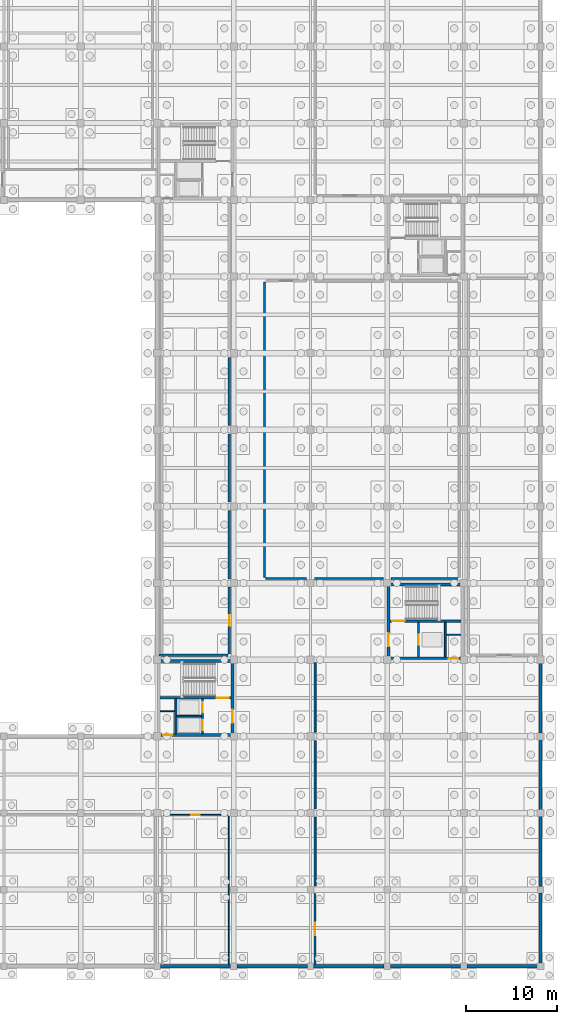
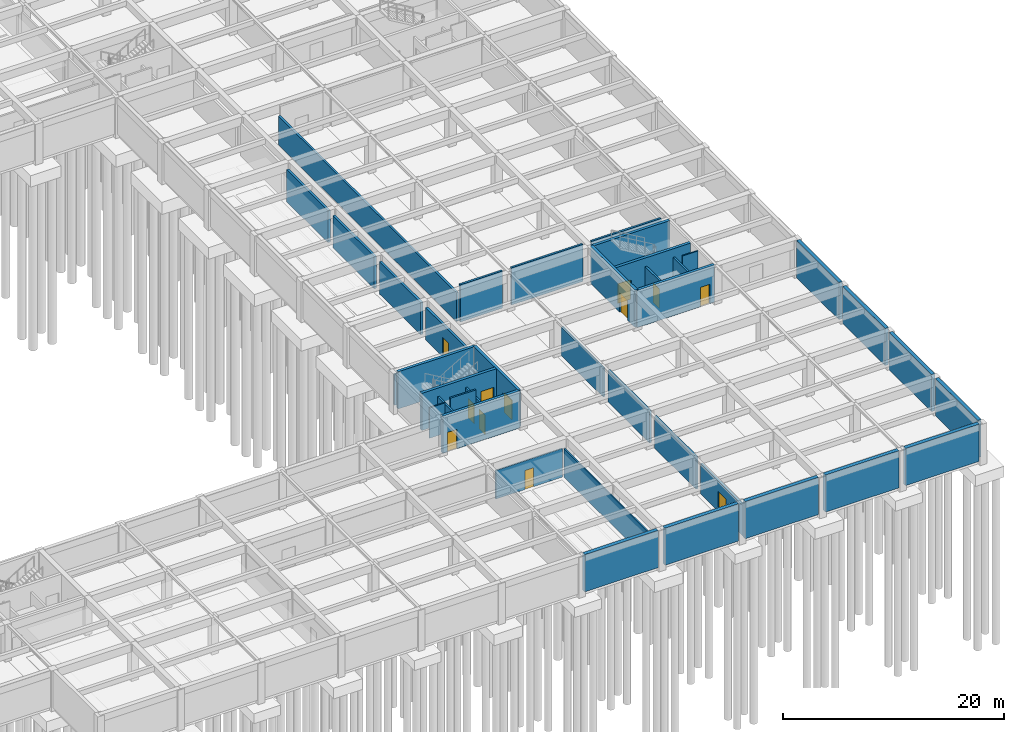
# One storey, part 22 of 33: 39 walls, 12 doors, 12 openings.
"""IFC4 building model written with IfcOpenShell, lengths in metres."""

from ifc_helpers import new_model, si_unit, direction, frame, frame_2d, origin, place, context, subcontext, project, spatial, rectangle, extrude, material, layer, layer_set, type_object, element, fill, save


model = new_model("IFC4")

# Units and contexts
model_context = context("Model", 3, precision=1e-05, world=origin(), true_north=direction((0.0, 1.0)))
body_context = subcontext(model_context, "Body", "Model", "MODEL_VIEW")
ifc_project = project(units=[si_unit("LENGTHUNIT", "METRE"), si_unit("AREAUNIT", "SQUARE_METRE"), si_unit("VOLUMEUNIT", "CUBIC_METRE"), si_unit("PLANEANGLEUNIT", "RADIAN"), si_unit("MASSUNIT", "GRAM", prefix="KILO")], contexts=[model_context])

# Site, building, storey
site_placement = place(None, origin())
site = spatial("IfcSite", under=ifc_project, at=site_placement, CompositionType="ELEMENT")
building_placement = place(site_placement, origin())
building = spatial("IfcBuilding", under=site, at=building_placement, Name="Kveldsbrygga Polytechnic", CompositionType="ELEMENT")
storey_placement = place(building_placement, frame((0.0, 0.0, -4.419921875)))
storey = spatial("IfcBuildingStorey", under=building, at=storey_placement, Name="B1", CompositionType="ELEMENT", Elevation=-4.419921875)

# Wall, opening, door
ifc_material_1 = material(Name="Fired clay brick masonry M10", Category="masonry")
ifc_layer_1 = layer(ifc_material_1, 0.239990234375)
ifc_layer_set_1 = layer_set([ifc_layer_1], Name="Fired clay brick masonry M10")
wall_type_1 = type_object("IfcWallType", Name="IW-COMP-240", PredefinedType="PARTITIONING", material=ifc_layer_set_1)
wall_1_placement = place(storey_placement, frame((133.89990234375, 34.25, 0.0), z_axis=(0.0, 0.0, 1.0), x_axis=(0.0, 1.0, 0.0)))
wall_1 = element("IfcWall", 1, at=wall_1_placement, inside=storey, type_object=wall_type_1, Name="Partition Wall IW-SP-B1-ARCH1-E1", PredefinedType="PARTITIONING", context=body_context, shape_type="SweptSolid", body=[
    extrude(rectangle(XDim=7.300048828125, YDim=0.239990234375, at=frame_2d((3.64990234375, 0.0))), origin(), (0.0, 0.0, 1.0), 3.559814453125),
])
opening_1_placement = place(wall_1_placement, frame((3.10009765625, 0.0, 0.0)))
opening_1 = element("IfcOpeningElement", 2, at=opening_1_placement, cuts=wall_1, Name="Opening ID-B1-009", PredefinedType="OPENING", context=body_context, shape_type="SweptSolid", body=[
    extrude(rectangle(XDim=1.10009765625, YDim=2.14990234375, at=frame_2d((0.550048828125, 1.074951171875))), frame((0.0, 0.1298828125, 0.0), z_axis=(0.0, -1.0, 0.0), x_axis=(1.0, 0.0, 0.0)), (0.0, 0.0, 1.0), 0.260009765625),
])
ifc_material_2 = material(Name="Powder-coated galvanised steel", Category="steel")
door_type_1 = type_object("IfcDoorType", Name="ID-STK-110x215", OperationType="NOTDEFINED", PredefinedType="DOOR", material=ifc_material_2)
door_1_placement = place(opening_1_placement, origin())
door_1 = element("IfcDoor", 3, at=door_1_placement, inside=storey, type_object=door_type_1, Name="Interior Door ID-B1-009", OperationType="SINGLE_SWING_LEFT", OverallHeight=2.14990234375, OverallWidth=1.10009765625, PredefinedType="DOOR", context=body_context, shape_type="SweptSolid", body=[
    extrude(rectangle(XDim=1.10009765625, YDim=2.14990234375, at=frame_2d((0.550048828125, 1.074951171875))), frame((0.0, 0.02490234375, 0.0), z_axis=(0.0, -1.0, 0.0), x_axis=(1.0, 0.0, 0.0)), (0.0, 0.0, 1.0), 0.050048828125),
])
fill(opening_1, door_1)

# Walls
wall_2_placement = place(storey_placement, frame((133.89990234375, 42.449951171875, 0.0), z_axis=(0.0, 0.0, 1.0), x_axis=(0.0, 1.0, 0.0)))
element("IfcWall", 4, at=wall_2_placement, inside=storey, type_object=wall_type_1, Name="Partition Wall IW-SP-B1-ARCH1-E2", PredefinedType="PARTITIONING", context=body_context, shape_type="SweptSolid", body=[
    extrude(rectangle(XDim=7.489990234375, YDim=0.239990234375, at=frame_2d((3.7451171875, 0.0))), origin(), (0.0, 0.0, 1.0), 3.56982421875),
])
wall_3_placement = place(storey_placement, frame((133.89990234375, 50.860107421875, 0.0), z_axis=(0.0, 0.0, 1.0), x_axis=(0.0, 1.0, 0.0)))
element("IfcWall", 5, at=wall_3_placement, inside=storey, type_object=wall_type_1, Name="Partition Wall IW-SP-B1-ARCH1-E3", PredefinedType="PARTITIONING", context=body_context, shape_type="SweptSolid", body=[
    extrude(rectangle(XDim=7.489990234375, YDim=0.239990234375, at=frame_2d((3.7451171875, 0.0))), origin(), (0.0, 0.0, 1.0), 3.559814453125),
])
wall_4_placement = place(storey_placement, frame((133.89990234375, 59.25, 0.0), z_axis=(0.0, 0.0, 1.0), x_axis=(0.0, 1.0, 0.0)))
element("IfcWall", 6, at=wall_4_placement, inside=storey, type_object=wall_type_1, Name="Partition Wall IW-SP-B1-ARCH1-E4", PredefinedType="PARTITIONING", context=body_context, shape_type="SweptSolid", body=[
    extrude(rectangle(XDim=7.489990234375, YDim=0.239990234375, at=frame_2d((3.7451171875, 0.0))), origin(), (0.0, 0.0, 1.0), 3.56982421875),
])
wall_5_placement = place(storey_placement, frame((126.179931640625, 34.10009765625, 0.0), z_axis=(0.0, 0.0, 1.0), x_axis=(1.0, 0.0, 0.0)))
element("IfcWall", 7, at=wall_5_placement, inside=storey, type_object=wall_type_1, Name="Partition Wall IW-SP-B1-ARCH1-S1", PredefinedType="PARTITIONING", context=body_context, shape_type="SweptSolid", body=[
    extrude(rectangle(XDim=7.570068359375, YDim=0.239990234375, at=frame_2d((3.78515625, 0.0))), origin(), (0.0, 0.0, 1.0), 3.349853515625),
])

# Wall, opening, door
ifc_material_3 = material(Name="Concrete blockwork masonry", Category="masonry")
ifc_layer_2 = layer(ifc_material_3, 0.2099609375)
ifc_layer_set_2 = layer_set([ifc_layer_2], Name="Concrete blockwork masonry")
wall_type_2 = type_object("IfcWallType", Name="IW-PLT-210", PredefinedType="PARTITIONING", material=ifc_layer_set_2)
wall_6_placement = place(storey_placement, frame((143.300048828125, 0.179931640625, 0.0), z_axis=(0.0, 0.0, 1.0), x_axis=(0.0, 1.0, 0.0)))
wall_6 = element("IfcWall", 8, at=wall_6_placement, inside=storey, type_object=wall_type_2, Name="Partition Wall IW-SP-B1-ELEC-W1", PredefinedType="PARTITIONING", context=body_context, shape_type="SweptSolid", body=[
    extrude(rectangle(XDim=7.800048828125, YDim=0.2099609375, at=frame_2d((3.89990234375, 0.0))), origin(), (0.0, 0.0, 1.0), 3.3798828125),
])
opening_2_placement = place(wall_6_placement, frame((3.199951171875, 0.0, 0.0)))
opening_2 = element("IfcOpeningElement", 9, at=opening_2_placement, cuts=wall_6, Name="Opening ID-B1-010", PredefinedType="OPENING", context=body_context, shape_type="SweptSolid", body=[
    extrude(rectangle(XDim=1.39990234375, YDim=2.199951171875, at=frame_2d((0.699951171875, 1.10009765625))), frame((0.0, 0.114990234375, 0.0), z_axis=(0.0, -1.0, 0.0), x_axis=(1.0, 0.0, 0.0)), (0.0, 0.0, 1.0), 0.22998046875),
])
door_type_2 = type_object("IfcDoorType", Name="ID-PLT-140x220", OperationType="DOUBLE_DOOR_SINGLE_SWING", PredefinedType="DOOR", material=ifc_material_2)
door_2_placement = place(opening_2_placement, origin())
door_2 = element("IfcDoor", 10, at=door_2_placement, inside=storey, type_object=door_type_2, Name="Interior Door ID-B1-010", OperationType="DOUBLE_DOOR_SINGLE_SWING", OverallHeight=2.199951171875, OverallWidth=1.39990234375, PredefinedType="DOOR", context=body_context, shape_type="SweptSolid", body=[
    extrude(rectangle(XDim=1.39990234375, YDim=2.199951171875, at=frame_2d((0.699951171875, 1.10009765625))), frame((0.0, 0.02490234375, 0.0), z_axis=(0.0, -1.0, 0.0), x_axis=(1.0, 0.0, 0.0)), (0.0, 0.0, 1.0), 0.050048828125),
])
fill(opening_2, door_2)

# Walls
wall_7_placement = place(storey_placement, frame((143.300048828125, 8.820068359375, 0.0), z_axis=(0.0, 0.0, 1.0), x_axis=(0.0, 1.0, 0.0)))
element("IfcWall", 11, at=wall_7_placement, inside=storey, type_object=wall_type_2, Name="Partition Wall IW-SP-B1-ELEC-W2", PredefinedType="PARTITIONING", context=body_context, shape_type="SweptSolid", body=[
    extrude(rectangle(XDim=7.530029296875, YDim=0.2099609375, at=frame_2d((3.76513671875, 0.0))), origin(), (0.0, 0.0, 1.0), 3.56982421875),
])
wall_8_placement = place(storey_placement, frame((143.300048828125, 17.25, 0.0), z_axis=(0.0, 0.0, 1.0), x_axis=(0.0, 1.0, 0.0)))
element("IfcWall", 12, at=wall_8_placement, inside=storey, type_object=wall_type_2, Name="Partition Wall IW-SP-B1-ELEC-W3", PredefinedType="PARTITIONING", context=body_context, shape_type="SweptSolid", body=[
    extrude(rectangle(XDim=7.489990234375, YDim=0.2099609375, at=frame_2d((3.7451171875, 0.0))), origin(), (0.0, 0.0, 1.0), 3.559814453125),
])
wall_9_placement = place(storey_placement, frame((143.300048828125, 25.659912109375, 0.0), z_axis=(0.0, 0.0, 1.0), x_axis=(0.0, 1.0, 0.0)))
element("IfcWall", 13, at=wall_9_placement, inside=storey, type_object=wall_type_2, Name="Partition Wall IW-SP-B1-ELEC-W4", PredefinedType="PARTITIONING", context=body_context, shape_type="SweptSolid", body=[
    extrude(rectangle(XDim=7.590087890625, YDim=0.2099609375, at=frame_2d((3.794921875, 0.0))), origin(), (0.0, 0.0, 1.0), 3.169921875),
])
wall_10_placement = place(storey_placement, frame((137.75, 42.64990234375, 0.0), z_axis=(0.0, 0.0, 1.0), x_axis=(0.0, 1.0, 0.0)))
element("IfcWall", 14, at=wall_10_placement, inside=storey, type_object=wall_type_2, Name="Partition Wall IW-SP-B1-ELEC2-W1", PredefinedType="PARTITIONING", context=body_context, shape_type="SweptSolid", body=[
    extrude(rectangle(XDim=32.300048828125, YDim=0.2099609375, at=frame_2d((16.14990234375, 0.0))), origin(), (0.0, 0.0, 1.0), 3.169921875),
])
wall_11_placement = place(storey_placement, frame((137.89990234375, 42.5, 0.0), z_axis=(0.0, 0.0, 1.0), x_axis=(1.0, 0.0, 0.0)))
element("IfcWall", 15, at=wall_11_placement, inside=storey, type_object=wall_type_2, Name="Partition Wall IW-SP-B1-ELEC2-S1", PredefinedType="PARTITIONING", context=body_context, shape_type="SweptSolid", body=[
    extrude(rectangle(XDim=4.440185546875, YDim=0.2099609375, at=frame_2d((2.22021484375, 0.0))), origin(), (0.0, 0.0, 1.0), 4.119873046875),
])
wall_12_placement = place(storey_placement, frame((143.260009765625, 42.5, 0.0), z_axis=(0.0, 0.0, 1.0), x_axis=(1.0, 0.0, 0.0)))
element("IfcWall", 16, at=wall_12_placement, inside=storey, type_object=wall_type_2, Name="Partition Wall IW-SP-B1-ELEC2-S2", PredefinedType="PARTITIONING", context=body_context, shape_type="SweptSolid", body=[
    extrude(rectangle(XDim=7.489990234375, YDim=0.2099609375, at=frame_2d((3.7451171875, 0.0))), origin(), (0.0, 0.0, 1.0), 4.119873046875),
])
wall_13_placement = place(storey_placement, frame((151.64990234375, 42.5, 0.0), z_axis=(0.0, 0.0, 1.0), x_axis=(1.0, 0.0, 0.0)))
element("IfcWall", 17, at=wall_13_placement, inside=storey, type_object=wall_type_2, Name="Partition Wall IW-SP-B1-ELEC2-S3", PredefinedType="PARTITIONING", context=body_context, shape_type="SweptSolid", body=[
    extrude(rectangle(XDim=7.300048828125, YDim=0.2099609375, at=frame_2d((3.64990234375, 0.0))), origin(), (0.0, 0.0, 1.0), 4.119873046875),
])
ifc_material_4 = material(Name="Moisture-resistant masonry M10", Category="masonry")
ifc_layer_3 = layer(ifc_material_4, 0.1298828125)
ifc_layer_set_3 = layer_set([ifc_layer_3], Name="Moisture-resistant masonry M10")
wall_type_3 = type_object("IfcWallType", Name="IW-SAN-130", PredefinedType="PARTITIONING", material=ifc_layer_set_3)
wall_14_placement = place(storey_placement, frame((126.320068359375, 27.93994140625, 0.0), z_axis=(0.0, 0.0, 1.0), x_axis=(1.0, 0.0, 0.0)))
element("IfcWall", 18, at=wall_14_placement, inside=storey, type_object=wall_type_3, Name="Core AWC Divider C1-B1-W-RSR", PredefinedType="PARTITIONING", context=body_context, shape_type="SweptSolid", body=[
    extrude(rectangle(XDim=1.619873046875, YDim=0.1298828125, at=frame_2d((0.81005859375, 0.0))), origin(), (0.0, 0.0, 1.0), 3.349853515625),
])
wall_15_placement = place(storey_placement, frame((157.659912109375, 36.340087890625, 0.0), z_axis=(0.0, 0.0, 1.0), x_axis=(1.0, 0.0, 0.0)))
element("IfcWall", 19, at=wall_15_placement, inside=storey, type_object=wall_type_3, Name="Core AWC Divider C3-B1-W-RSR", PredefinedType="PARTITIONING", context=body_context, shape_type="SweptSolid", body=[
    extrude(rectangle(XDim=1.6201171875, YDim=0.1298828125, at=frame_2d((0.81005859375, 0.0))), origin(), (0.0, 0.0, 1.0), 4.119873046875),
])

# Wall, opening, door
wall_16_placement = place(storey_placement, frame((126.699951171875, 16.60009765625, 0.0), z_axis=(0.0, 0.0, 1.0), x_axis=(1.0, 0.0, 0.0)))
wall_16 = element("IfcWall", 20, at=wall_16_placement, inside=storey, type_object=wall_type_3, Name="Partition Wall IW-SP-B1-WC1-N1", PredefinedType="PARTITIONING", context=body_context, shape_type="SweptSolid", body=[
    extrude(rectangle(XDim=7.0, YDim=0.1298828125, at=frame_2d((3.5, 0.0))), origin(), (0.0, 0.0, 1.0), 3.169921875),
])
opening_3_placement = place(wall_16_placement, frame((3.050048828125, 0.0, 0.0)))
opening_3 = element("IfcOpeningElement", 21, at=opening_3_placement, cuts=wall_16, Name="Opening ID-B1-015", PredefinedType="OPENING", context=body_context, shape_type="SweptSolid", body=[
    extrude(rectangle(XDim=0.89990234375, YDim=2.10009765625, at=frame_2d((0.449951171875, 1.050048828125))), frame((0.0, 0.074951171875, 0.0), z_axis=(0.0, -1.0, 0.0), x_axis=(1.0, 0.0, 0.0)), (0.0, 0.0, 1.0), 0.14990234375),
])
ifc_material_5 = material(Name="Acoustic oak timber", Category="wood")
door_type_3 = type_object("IfcDoorType", Name="ID-SAN-090x210", OperationType="NOTDEFINED", PredefinedType="DOOR", material=ifc_material_5)
door_3_placement = place(opening_3_placement, origin())
door_3 = element("IfcDoor", 22, at=door_3_placement, inside=storey, type_object=door_type_3, Name="Interior Door ID-B1-015", OperationType="SINGLE_SWING_LEFT", OverallHeight=2.10009765625, OverallWidth=0.89990234375, PredefinedType="DOOR", context=body_context, shape_type="SweptSolid", body=[
    extrude(rectangle(XDim=0.89990234375, YDim=2.10009765625, at=frame_2d((0.449951171875, 1.050048828125))), frame((0.0, 0.02490234375, 0.0), z_axis=(0.0, -1.0, 0.0), x_axis=(1.0, 0.0, 0.0)), (0.0, 0.0, 1.0), 0.050048828125),
])
fill(opening_3, door_3)

# Wall
wall_17_placement = place(storey_placement, frame((133.85009765625, 0.179931640625, 0.0), z_axis=(0.0, 0.0, 1.0), x_axis=(0.0, 1.0, 0.0)))
element("IfcWall", 23, at=wall_17_placement, inside=storey, type_object=wall_type_3, Name="Partition Wall IW-SP-B1-WC1-E1", PredefinedType="PARTITIONING", context=body_context, shape_type="SweptSolid", body=[
    extrude(rectangle(XDim=16.27001953125, YDim=0.1298828125, at=frame_2d((8.135009765625, 0.0))), origin(), (0.0, 0.0, 1.0), 3.169921875),
])

# Wall, opening, door
ifc_material_6 = material(Name="Concrete C45/55", Category="concrete")
ifc_layer_4 = layer(ifc_material_6, 0.300048828125)
ifc_layer_set_4 = layer_set([ifc_layer_4], Name="Concrete C45/55")
wall_type_4 = type_object("IfcWallType", Name="WL-CORE-300", PredefinedType="SHEAR", material=ifc_layer_set_4)
wall_18_placement = place(storey_placement, frame((126.14990234375, 25.35009765625, 0.0), z_axis=(0.0, 0.0, 1.0), x_axis=(1.0, 0.0, 0.0)))
wall_18 = element("IfcWall", 24, at=wall_18_placement, inside=storey, type_object=wall_type_4, Name="Core C1 Shear Wall C1-B1-SW-S", PredefinedType="SHEAR", context=body_context, shape_type="SweptSolid", body=[
    extrude(rectangle(XDim=8.10009765625, YDim=0.300048828125, at=frame_2d((4.050048828125, 0.0))), origin(), (0.0, 0.0, 1.0), 4.119873046875),
])
opening_4_placement = place(wall_18_placement, frame((0.485107421875, 0.0, 0.0)))
opening_4 = element("IfcOpeningElement", 25, at=opening_4_placement, cuts=wall_18, Name="Opening ID-C1-B1-AWC", PredefinedType="OPENING", context=body_context, shape_type="SweptSolid", body=[
    extrude(rectangle(XDim=1.0, YDim=2.14990234375, at=frame_2d((0.5, 1.074951171875))), frame((0.0, 0.16015625, 0.0), z_axis=(0.0, -1.0, 0.0), x_axis=(1.0, 0.0, 0.0)), (0.0, 0.0, 1.0), 0.320068359375),
])
door_type_4 = type_object("IfcDoorType", Name="ID-AWC-100x215", OperationType="NOTDEFINED", PredefinedType="DOOR", material=ifc_material_5)
door_4_placement = place(opening_4_placement, origin())
door_4 = element("IfcDoor", 26, at=door_4_placement, inside=storey, type_object=door_type_4, Name="Accessible WC Door ID-C1-B1-AWC", OperationType="SINGLE_SWING_RIGHT", OverallHeight=2.14990234375, OverallWidth=1.0, PredefinedType="DOOR", context=body_context, shape_type="SweptSolid", body=[
    extrude(rectangle(XDim=1.0, YDim=2.14990234375, at=frame_2d((0.5, 1.074951171875))), frame((0.0, 0.02490234375, 0.0), z_axis=(0.0, -1.0, 0.0), x_axis=(1.0, 0.0, 0.0)), (0.0, 0.0, 1.0), 0.050048828125),
])
fill(opening_4, door_4)

# Wall
wall_19_placement = place(storey_placement, frame((126.14990234375, 33.449951171875, 0.0), z_axis=(0.0, 0.0, 1.0), x_axis=(1.0, 0.0, 0.0)))
element("IfcWall", 27, at=wall_19_placement, inside=storey, type_object=wall_type_4, Name="Core C1 Shear Wall C1-B1-SW-N", PredefinedType="SHEAR", context=body_context, shape_type="SweptSolid", body=[
    extrude(rectangle(XDim=8.10009765625, YDim=0.300048828125, at=frame_2d((4.050048828125, 0.0))), origin(), (0.0, 0.0, 1.0), 4.119873046875),
])

# Wall, opening, door
wall_20_placement = place(storey_placement, frame((134.25, 25.35009765625, 0.0), z_axis=(0.0, 0.0, 1.0), x_axis=(0.0, 1.0, 0.0)))
wall_20 = element("IfcWall", 28, at=wall_20_placement, inside=storey, type_object=wall_type_4, Name="Core C1 Shear Wall C1-B1-SW-E", PredefinedType="SHEAR", context=body_context, shape_type="SweptSolid", body=[
    extrude(rectangle(XDim=8.099853515625, YDim=0.300048828125, at=frame_2d((4.0498046875, 0.0))), origin(), (0.0, 0.0, 1.0), 4.119873046875),
])
opening_5_placement = place(wall_20_placement, frame((1.324951171875, 0.0, 0.0)))
opening_5 = element("IfcOpeningElement", 29, at=opening_5_placement, cuts=wall_20, Name="Opening FD-C1-B1-LOB", PredefinedType="OPENING", context=body_context, shape_type="SweptSolid", body=[
    extrude(rectangle(XDim=1.449951171875, YDim=2.14990234375, at=frame_2d((0.72509765625, 1.074951171875))), frame((0.0, 0.16015625, 0.0), z_axis=(0.0, -1.0, 0.0), x_axis=(1.0, 0.0, 0.0)), (0.0, 0.0, 1.0), 0.320068359375),
])
door_type_5 = type_object("IfcDoorType", Name="ID-LOBBY-145x215", OperationType="DOUBLE_DOOR_SINGLE_SWING", PredefinedType="DOOR", material=ifc_material_2)
door_5_placement = place(opening_5_placement, origin())
door_5 = element("IfcDoor", 30, at=door_5_placement, inside=storey, type_object=door_type_5, Name="Core Lobby Fire Door FD-C1-B1-LOB", OperationType="DOUBLE_DOOR_SINGLE_SWING", OverallHeight=2.14990234375, OverallWidth=1.449951171875, PredefinedType="DOOR", context=body_context, shape_type="SweptSolid", body=[
    extrude(rectangle(XDim=1.449951171875, YDim=2.14990234375, at=frame_2d((0.72509765625, 1.074951171875))), frame((0.0, 0.02490234375, 0.0), z_axis=(0.0, -1.0, 0.0), x_axis=(1.0, 0.0, 0.0)), (0.0, 0.0, 1.0), 0.050048828125),
])
fill(opening_5, door_5)

wall_21_placement = place(storey_placement, frame((126.300048828125, 29.429931640625, 0.0), z_axis=(0.0, 0.0, 1.0), x_axis=(1.0, 0.0, 0.0)))
wall_21 = element("IfcWall", 31, at=wall_21_placement, inside=storey, type_object=wall_type_4, Name="Core C1 Shear Wall C1-B1-W-DIV", PredefinedType="SHEAR", context=body_context, shape_type="SweptSolid", body=[
    extrude(rectangle(XDim=7.800048828125, YDim=0.300048828125, at=frame_2d((3.89990234375, 0.0))), origin(), (0.0, 0.0, 1.0), 4.119873046875),
])
opening_6_placement = place(wall_21_placement, frame((6.199951171875, 0.0, 0.0)))
opening_6 = element("IfcOpeningElement", 32, at=opening_6_placement, cuts=wall_21, Name="Opening FD-C1-B1-ST", PredefinedType="OPENING", context=body_context, shape_type="SweptSolid", body=[
    extrude(rectangle(XDim=1.35009765625, YDim=2.14990234375, at=frame_2d((0.675048828125, 1.074951171875))), frame((0.0, 0.16015625, 0.0), z_axis=(0.0, -1.0, 0.0), x_axis=(1.0, 0.0, 0.0)), (0.0, 0.0, 1.0), 0.320068359375),
])
door_type_6 = type_object("IfcDoorType", Name="ID-STAIR-135x215", OperationType="NOTDEFINED", PredefinedType="DOOR", material=ifc_material_2)
door_6_placement = place(opening_6_placement, origin())
door_6 = element("IfcDoor", 33, at=door_6_placement, inside=storey, type_object=door_type_6, Name="Stair Fire Door FD-C1-B1-ST", OperationType="SINGLE_SWING_LEFT", OverallHeight=2.14990234375, OverallWidth=1.35009765625, PredefinedType="DOOR", context=body_context, shape_type="SweptSolid", body=[
    extrude(rectangle(XDim=1.35009765625, YDim=2.14990234375, at=frame_2d((0.675048828125, 1.074951171875))), frame((0.0, 0.02490234375, 0.0), z_axis=(0.0, -1.0, 0.0), x_axis=(1.0, 0.0, 0.0)), (0.0, 0.0, 1.0), 0.050048828125),
])
fill(opening_6, door_6)

wall_22_placement = place(storey_placement, frame((151.35009765625, 33.75, 0.0), z_axis=(0.0, 0.0, 1.0), x_axis=(1.0, 0.0, 0.0)))
wall_22 = element("IfcWall", 34, at=wall_22_placement, inside=storey, type_object=wall_type_4, Name="Core C3 Shear Wall C3-B1-SW-S", PredefinedType="SHEAR", context=body_context, shape_type="SweptSolid", body=[
    extrude(rectangle(XDim=8.099853515625, YDim=0.300048828125, at=frame_2d((4.0498046875, 0.0))), origin(), (0.0, 0.0, 1.0), 4.119873046875),
])
opening_7_placement = place(wall_22_placement, frame((6.614990234375, 0.0, 0.0)))
opening_7 = element("IfcOpeningElement", 35, at=opening_7_placement, cuts=wall_22, Name="Opening ID-C3-B1-AWC", PredefinedType="OPENING", context=body_context, shape_type="SweptSolid", body=[
    extrude(rectangle(XDim=1.0, YDim=2.14990234375, at=frame_2d((0.5, 1.074951171875))), frame((0.0, 0.16015625, 0.0), z_axis=(0.0, -1.0, 0.0), x_axis=(1.0, 0.0, 0.0)), (0.0, 0.0, 1.0), 0.320068359375),
])
door_7_placement = place(opening_7_placement, origin())
door_7 = element("IfcDoor", 36, at=door_7_placement, inside=storey, type_object=door_type_4, Name="Accessible WC Door ID-C3-B1-AWC", OperationType="SINGLE_SWING_RIGHT", OverallHeight=2.14990234375, OverallWidth=1.0, PredefinedType="DOOR", context=body_context, shape_type="SweptSolid", body=[
    extrude(rectangle(XDim=1.0, YDim=2.14990234375, at=frame_2d((0.5, 1.074951171875))), frame((0.0, 0.02490234375, 0.0), z_axis=(0.0, -1.0, 0.0), x_axis=(1.0, 0.0, 0.0)), (0.0, 0.0, 1.0), 0.050048828125),
])
fill(opening_7, door_7)

# Wall
wall_23_placement = place(storey_placement, frame((151.35009765625, 41.85009765625, 0.0), z_axis=(0.0, 0.0, 1.0), x_axis=(1.0, 0.0, 0.0)))
element("IfcWall", 37, at=wall_23_placement, inside=storey, type_object=wall_type_4, Name="Core C3 Shear Wall C3-B1-SW-N", PredefinedType="SHEAR", context=body_context, shape_type="SweptSolid", body=[
    extrude(rectangle(XDim=8.099853515625, YDim=0.300048828125, at=frame_2d((4.0498046875, 0.0))), origin(), (0.0, 0.0, 1.0), 4.119873046875),
])

# Wall, opening, door
wall_24_placement = place(storey_placement, frame((151.35009765625, 33.75, 0.0), z_axis=(0.0, 0.0, 1.0), x_axis=(0.0, 1.0, 0.0)))
wall_24 = element("IfcWall", 38, at=wall_24_placement, inside=storey, type_object=wall_type_4, Name="Core C3 Shear Wall C3-B1-SW-W", PredefinedType="SHEAR", context=body_context, shape_type="SweptSolid", body=[
    extrude(rectangle(XDim=8.10009765625, YDim=0.300048828125, at=frame_2d((4.050048828125, 0.0))), origin(), (0.0, 0.0, 1.0), 4.119873046875),
])
opening_8_placement = place(wall_24_placement, frame((1.324951171875, 0.0, 0.0)))
opening_8 = element("IfcOpeningElement", 39, at=opening_8_placement, cuts=wall_24, Name="Opening FD-C3-B1-LOB", PredefinedType="OPENING", context=body_context, shape_type="SweptSolid", body=[
    extrude(rectangle(XDim=1.449951171875, YDim=2.14990234375, at=frame_2d((0.72509765625, 1.074951171875))), frame((0.0, 0.16015625, 0.0), z_axis=(0.0, -1.0, 0.0), x_axis=(1.0, 0.0, 0.0)), (0.0, 0.0, 1.0), 0.320068359375),
])
door_8_placement = place(opening_8_placement, origin())
door_8 = element("IfcDoor", 40, at=door_8_placement, inside=storey, type_object=door_type_5, Name="Core Lobby Fire Door FD-C3-B1-LOB", OperationType="DOUBLE_DOOR_SINGLE_SWING", OverallHeight=2.14990234375, OverallWidth=1.449951171875, PredefinedType="DOOR", context=body_context, shape_type="SweptSolid", body=[
    extrude(rectangle(XDim=1.449951171875, YDim=2.14990234375, at=frame_2d((0.72509765625, 1.074951171875))), frame((0.0, 0.02490234375, 0.0), z_axis=(0.0, -1.0, 0.0), x_axis=(1.0, 0.0, 0.0)), (0.0, 0.0, 1.0), 0.050048828125),
])
fill(opening_8, door_8)

wall_25_placement = place(storey_placement, frame((151.5, 37.830078125, 0.0), z_axis=(0.0, 0.0, 1.0), x_axis=(1.0, 0.0, 0.0)))
wall_25 = element("IfcWall", 41, at=wall_25_placement, inside=storey, type_object=wall_type_4, Name="Core C3 Shear Wall C3-B1-W-DIV", PredefinedType="SHEAR", context=body_context, shape_type="SweptSolid", body=[
    extrude(rectangle(XDim=7.800048828125, YDim=0.300048828125, at=frame_2d((3.89990234375, 0.0))), origin(), (0.0, 0.0, 1.0), 4.119873046875),
])
opening_9_placement = place(wall_25_placement, frame((0.25, 0.0, 0.0)))
opening_9 = element("IfcOpeningElement", 42, at=opening_9_placement, cuts=wall_25, Name="Opening FD-C3-B1-ST", PredefinedType="OPENING", context=body_context, shape_type="SweptSolid", body=[
    extrude(rectangle(XDim=1.35009765625, YDim=2.14990234375, at=frame_2d((0.675048828125, 1.074951171875))), frame((0.0, 0.16015625, 0.0), z_axis=(0.0, -1.0, 0.0), x_axis=(1.0, 0.0, 0.0)), (0.0, 0.0, 1.0), 0.320068359375),
])
door_9_placement = place(opening_9_placement, origin())
door_9 = element("IfcDoor", 43, at=door_9_placement, inside=storey, type_object=door_type_6, Name="Stair Fire Door FD-C3-B1-ST", OperationType="SINGLE_SWING_LEFT", OverallHeight=2.14990234375, OverallWidth=1.35009765625, PredefinedType="DOOR", context=body_context, shape_type="SweptSolid", body=[
    extrude(rectangle(XDim=1.35009765625, YDim=2.14990234375, at=frame_2d((0.675048828125, 1.074951171875))), frame((0.0, 0.02490234375, 0.0), z_axis=(0.0, -1.0, 0.0), x_axis=(1.0, 0.0, 0.0)), (0.0, 0.0, 1.0), 0.050048828125),
])
fill(opening_9, door_9)

# Walls
ifc_material_7 = material(Name="Concrete C35/45", Category="concrete")
ifc_layer_5 = layer(ifc_material_7, 0.360107421875)
ifc_layer_set_5 = layer_set([ifc_layer_5], Name="Concrete C35/45")
wall_type_5 = type_object("IfcWallType", Name="WL-RET-360", PredefinedType="USERDEFINED", material=ifc_layer_set_5)
for number, where, z_axis, x_axis, name in (
    (44, (168.0, 0.35009765625, 0.0), (0.0, 0.0, 1.0), (0.0, 1.0, 0.0), "Basement Retaining Wall RW-E-19-00"),
    (45, (168.0, 8.75, 0.0), (0.0, 0.0, 1.0), (0.0, 1.0, 0.0), "Basement Retaining Wall RW-E-19-01"),
):
    element("IfcWall", number, at=place(storey_placement, frame(where, z_axis=z_axis, x_axis=x_axis)), inside=storey, type_object=wall_type_5, Name=name, ObjectType="RETAININGWALL", PredefinedType="USERDEFINED", context=body_context, shape_type="SweptSolid", body=[
        extrude(rectangle(XDim=7.699951171875, YDim=0.360107421875, at=frame_2d((3.85009765625, 0.0))), origin(), (0.0, 0.0, 1.0), 4.119873046875),
    ])
wall_26_placement = place(storey_placement, frame((168.0, 17.14990234375, 0.0), z_axis=(0.0, 0.0, 1.0), x_axis=(0.0, 1.0, 0.0)))
element("IfcWall", 46, at=wall_26_placement, inside=storey, type_object=wall_type_5, Name="Basement Retaining Wall RW-E-19-02", ObjectType="RETAININGWALL", PredefinedType="USERDEFINED", context=body_context, shape_type="SweptSolid", body=[
    extrude(rectangle(XDim=7.7001953125, YDim=0.360107421875, at=frame_2d((3.85009765625, 0.0))), origin(), (0.0, 0.0, 1.0), 4.119873046875),
])
wall_27_placement = place(storey_placement, frame((168.0, 25.550048828125, 0.0), z_axis=(0.0, 0.0, 1.0), x_axis=(0.0, 1.0, 0.0)))
element("IfcWall", 47, at=wall_27_placement, inside=storey, type_object=wall_type_5, Name="Basement Retaining Wall RW-E-19-03", ObjectType="RETAININGWALL", PredefinedType="USERDEFINED", context=body_context, shape_type="SweptSolid", body=[
    extrude(rectangle(XDim=7.699951171875, YDim=0.360107421875, at=frame_2d((3.85009765625, 0.0))), origin(), (0.0, 0.0, 1.0), 4.119873046875),
])
ifc_layer_6 = layer(ifc_material_7, 0.39990234375)
ifc_layer_set_6 = layer_set([ifc_layer_6], Name="Concrete C35/45")
wall_type_6 = type_object("IfcWallType", Name="WL-RET-400", PredefinedType="USERDEFINED", material=ifc_layer_set_6)
for number, where, z_axis, x_axis, name in (
    (48, (126.35009765625, 0.0, 0.0), (0.0, 0.0, 1.0), (1.0, 0.0, 0.0), "Basement Retaining Wall RW-S-15-00"),
    (49, (134.75, 0.0, 0.0), (0.0, 0.0, 1.0), (1.0, 0.0, 0.0), "Basement Retaining Wall RW-S-16-00"),
):
    element("IfcWall", number, at=place(storey_placement, frame(where, z_axis=z_axis, x_axis=x_axis)), inside=storey, type_object=wall_type_6, Name=name, ObjectType="RETAININGWALL", PredefinedType="USERDEFINED", context=body_context, shape_type="SweptSolid", body=[
        extrude(rectangle(XDim=7.699951171875, YDim=0.39990234375, at=frame_2d((3.85009765625, 0.0))), origin(), (0.0, 0.0, 1.0), 4.119873046875),
    ])
wall_28_placement = place(storey_placement, frame((143.14990234375, 0.0, 0.0), z_axis=(0.0, 0.0, 1.0), x_axis=(1.0, 0.0, 0.0)))
element("IfcWall", 50, at=wall_28_placement, inside=storey, type_object=wall_type_6, Name="Basement Retaining Wall RW-S-17-00", ObjectType="RETAININGWALL", PredefinedType="USERDEFINED", context=body_context, shape_type="SweptSolid", body=[
    extrude(rectangle(XDim=7.7001953125, YDim=0.39990234375, at=frame_2d((3.85009765625, 0.0))), origin(), (0.0, 0.0, 1.0), 4.119873046875),
])
for number, where, z_axis, x_axis, name in (
    (51, (151.550048828125, 0.0, 0.0), (0.0, 0.0, 1.0), (1.0, 0.0, 0.0), "Basement Retaining Wall RW-S-18-00"),
    (52, (159.949951171875, 0.0, 0.0), (0.0, 0.0, 1.0), (1.0, 0.0, 0.0), "Basement Retaining Wall RW-S-19-00"),
):
    element("IfcWall", number, at=place(storey_placement, frame(where, z_axis=z_axis, x_axis=x_axis)), inside=storey, type_object=wall_type_6, Name=name, ObjectType="RETAININGWALL", PredefinedType="USERDEFINED", context=body_context, shape_type="SweptSolid", body=[
        extrude(rectangle(XDim=7.699951171875, YDim=0.39990234375, at=frame_2d((3.85009765625, 0.0))), origin(), (0.0, 0.0, 1.0), 4.119873046875),
    ])
ifc_layer_7 = layer(ifc_material_7, 0.179931640625)
ifc_layer_set_7 = layer_set([ifc_layer_7], Name="Concrete C35/45")
wall_type_7 = type_object("IfcWallType", Name="WL-SHFT-180", PredefinedType="SHEAR", material=ifc_layer_set_7)
wall_29_placement = place(storey_placement, frame((128.14990234375, 27.39990234375, 0.0), z_axis=(0.0, 0.0, 1.0), x_axis=(1.0, 0.0, 0.0)))
element("IfcWall", 53, at=wall_29_placement, inside=storey, type_object=wall_type_7, Name="Lift Divider Wall C1-B1-W-LMID", PredefinedType="SHEAR", context=body_context, shape_type="SweptSolid", body=[
    extrude(rectangle(XDim=2.7001953125, YDim=0.179931640625, at=frame_2d((1.35009765625, 0.0))), origin(), (0.0, 0.0, 1.0), 4.119873046875),
])

# Wall, openings, doors
ifc_layer_8 = layer(ifc_material_7, 0.199951171875)
ifc_layer_set_8 = layer_set([ifc_layer_8], Name="Concrete C35/45")
wall_type_8 = type_object("IfcWallType", Name="WL-SHFT-200", PredefinedType="SHEAR", material=ifc_layer_set_8)
wall_30_placement = place(storey_placement, frame((130.9599609375, 25.5, 0.0), z_axis=(0.0, 0.0, 1.0), x_axis=(0.0, 1.0, 0.0)))
wall_30 = element("IfcWall", 54, at=wall_30_placement, inside=storey, type_object=wall_type_8, Name="Lift Front Wall C1-B1-W-LFR", PredefinedType="SHEAR", context=body_context, shape_type="SweptSolid", body=[
    extrude(rectangle(XDim=3.800048828125, YDim=0.199951171875, at=frame_2d((1.89990234375, 0.0))), origin(), (0.0, 0.0, 1.0), 3.169921875),
])
opening_10_placement = place(wall_30_placement, frame((0.375, 0.0, 0.0)))
opening_10 = element("IfcOpeningElement", 55, at=opening_10_placement, cuts=wall_30, Name="Opening LD-FL-1", PredefinedType="OPENING", context=body_context, shape_type="SweptSolid", body=[
    extrude(rectangle(XDim=1.10009765625, YDim=2.14990234375, at=frame_2d((0.550048828125, 1.074951171875))), frame((0.0, 0.10986328125, 0.0), z_axis=(0.0, -1.0, 0.0), x_axis=(1.0, 0.0, 0.0)), (0.0, 0.0, 1.0), 0.219970703125),
])
opening_11_placement = place(wall_30_placement, frame((2.324951171875, 0.0, 0.0)))
opening_11 = element("IfcOpeningElement", 56, at=opening_11_placement, cuts=wall_30, Name="Opening LD-LP-1", PredefinedType="OPENING", context=body_context, shape_type="SweptSolid", body=[
    extrude(rectangle(XDim=1.10009765625, YDim=2.14990234375, at=frame_2d((0.550048828125, 1.074951171875))), frame((0.0, 0.10986328125, 0.0), z_axis=(0.0, -1.0, 0.0), x_axis=(1.0, 0.0, 0.0)), (0.0, 0.0, 1.0), 0.219970703125),
])
ifc_material_8 = material(Name="Brushed stainless steel EN 1.4401", Category="steel")
door_type_7 = type_object("IfcDoorType", Name="LD-PAX-110x215", OperationType="SLIDING_TO_LEFT", PredefinedType="DOOR", material=ifc_material_8)
door_10_placement = place(opening_10_placement, origin())
door_10 = element("IfcDoor", 57, at=door_10_placement, inside=storey, type_object=door_type_7, Name="Lift Landing Sliding Door LD-FL-1-B1", OperationType="SLIDING_TO_LEFT", OverallHeight=2.14990234375, OverallWidth=1.10009765625, PredefinedType="DOOR", context=body_context, shape_type="SweptSolid", body=[
    extrude(rectangle(XDim=1.10009765625, YDim=2.14990234375, at=frame_2d((0.550048828125, 1.074951171875))), frame((0.0, 0.02490234375, 0.0), z_axis=(0.0, -1.0, 0.0), x_axis=(1.0, 0.0, 0.0)), (0.0, 0.0, 1.0), 0.050048828125),
])
fill(opening_10, door_10)
door_11_placement = place(opening_11_placement, origin())
door_11 = element("IfcDoor", 58, at=door_11_placement, inside=storey, type_object=door_type_7, Name="Lift Landing Sliding Door LD-LP-1-B1", OperationType="SLIDING_TO_LEFT", OverallHeight=2.14990234375, OverallWidth=1.10009765625, PredefinedType="DOOR", context=body_context, shape_type="SweptSolid", body=[
    extrude(rectangle(XDim=1.10009765625, YDim=2.14990234375, at=frame_2d((0.550048828125, 1.074951171875))), frame((0.0, 0.02490234375, 0.0), z_axis=(0.0, -1.0, 0.0), x_axis=(1.0, 0.0, 0.0)), (0.0, 0.0, 1.0), 0.050048828125),
])
fill(opening_11, door_11)

# Wall
wall_31_placement = place(storey_placement, frame((128.0400390625, 25.5, 0.0), z_axis=(0.0, 0.0, 1.0), x_axis=(0.0, 1.0, 0.0)))
element("IfcWall", 59, at=wall_31_placement, inside=storey, type_object=wall_type_8, Name="Lift Back Wall C1-B1-W-LBK", PredefinedType="SHEAR", context=body_context, shape_type="SweptSolid", body=[
    extrude(rectangle(XDim=3.800048828125, YDim=0.199951171875, at=frame_2d((1.89990234375, 0.0))), origin(), (0.0, 0.0, 1.0), 3.169921875),
])

# Wall, opening, door
wall_32_placement = place(storey_placement, frame((154.639892578125, 33.89990234375, 0.0), z_axis=(0.0, 0.0, 1.0), x_axis=(0.0, 1.0, 0.0)))
wall_32 = element("IfcWall", 60, at=wall_32_placement, inside=storey, type_object=wall_type_8, Name="Lift Front Wall C3-B1-W-LFR", PredefinedType="SHEAR", context=body_context, shape_type="SweptSolid", body=[
    extrude(rectangle(XDim=3.800048828125, YDim=0.199951171875, at=frame_2d((1.89990234375, 0.0))), origin(), (0.0, 0.0, 1.0), 3.169921875),
])
opening_12_placement = place(wall_32_placement, frame((1.35009765625, 0.0, 0.0)))
opening_12 = element("IfcOpeningElement", 61, at=opening_12_placement, cuts=wall_32, Name="Opening LD-LP-3", PredefinedType="OPENING", context=body_context, shape_type="SweptSolid", body=[
    extrude(rectangle(XDim=1.10009765625, YDim=2.14990234375, at=frame_2d((0.550048828125, 1.074951171875))), frame((0.0, 0.10986328125, 0.0), z_axis=(0.0, -1.0, 0.0), x_axis=(1.0, 0.0, 0.0)), (0.0, 0.0, 1.0), 0.219970703125),
])
door_12_placement = place(opening_12_placement, origin())
door_12 = element("IfcDoor", 62, at=door_12_placement, inside=storey, type_object=door_type_7, Name="Lift Landing Sliding Door LD-LP-3-B1", OperationType="SLIDING_TO_LEFT", OverallHeight=2.14990234375, OverallWidth=1.10009765625, PredefinedType="DOOR", context=body_context, shape_type="SweptSolid", body=[
    extrude(rectangle(XDim=1.10009765625, YDim=2.14990234375, at=frame_2d((0.550048828125, 1.074951171875))), frame((0.0, 0.02490234375, 0.0), z_axis=(0.0, -1.0, 0.0), x_axis=(1.0, 0.0, 0.0)), (0.0, 0.0, 1.0), 0.050048828125),
])
fill(opening_12, door_12)

# Wall
wall_33_placement = place(storey_placement, frame((157.56005859375, 33.89990234375, 0.0), z_axis=(0.0, 0.0, 1.0), x_axis=(0.0, 1.0, 0.0)))
element("IfcWall", 63, at=wall_33_placement, inside=storey, type_object=wall_type_8, Name="Lift Back Wall C3-B1-W-LBK", PredefinedType="SHEAR", context=body_context, shape_type="SweptSolid", body=[
    extrude(rectangle(XDim=3.800048828125, YDim=0.199951171875, at=frame_2d((1.89990234375, 0.0))), origin(), (0.0, 0.0, 1.0), 3.169921875),
])

save(model, "model.ifc")
